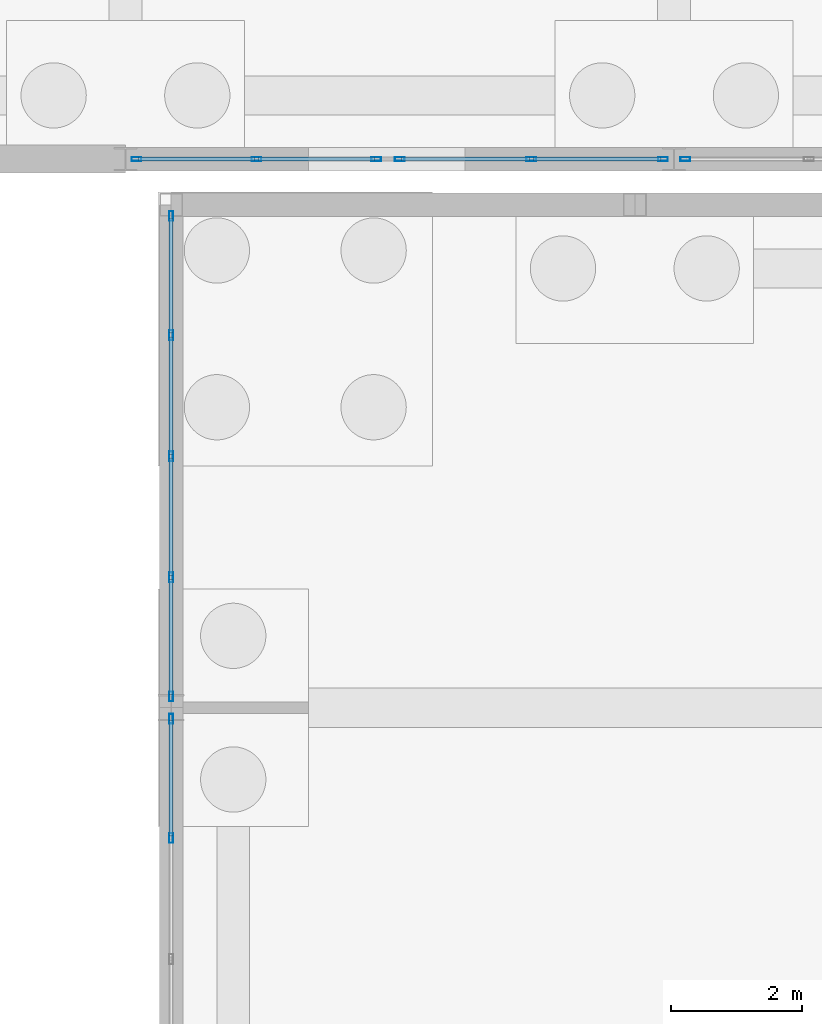
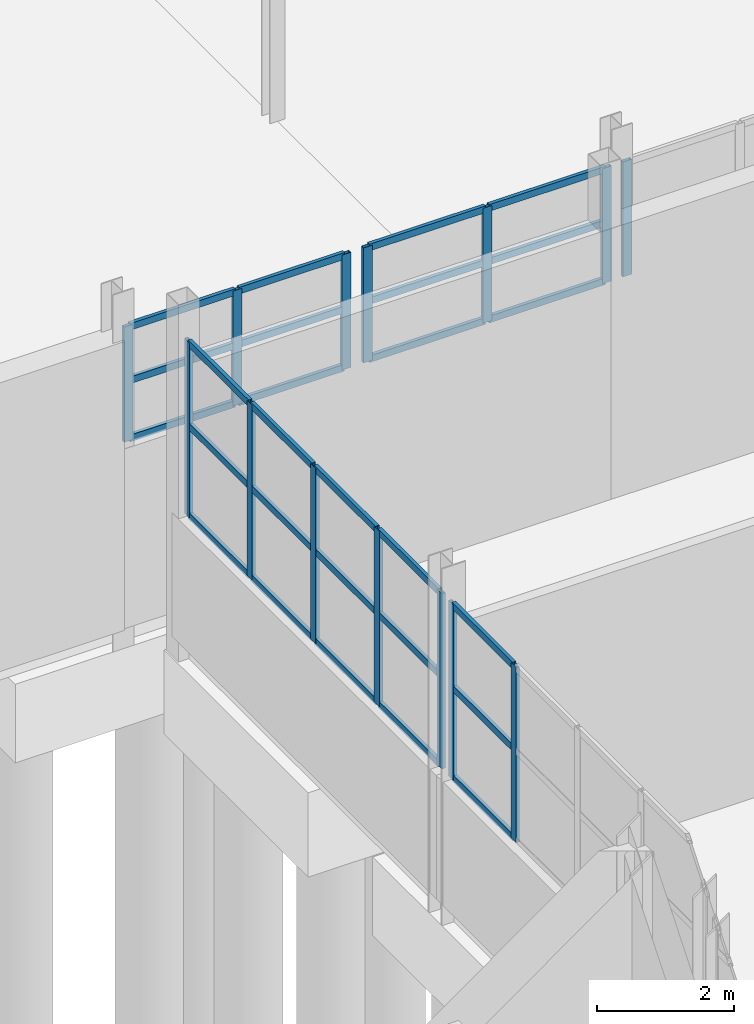
# One storey, part 83 of 139: 41 members, 5 elements without a shape of their own.
"""IFC4 building model written with IfcOpenShell, lengths in metres."""

from ifc_helpers import new_model, si_unit, direction, frame, origin, origin_2d, place, context, subcontext, project, spatial, hollow_rectangle, extrude, material, material_profile, profile_set, type_object, element, aggregate, save


model = new_model("IFC4")

# Units and contexts
model_context = context("Model", 3, precision=1e-05, world=origin(), true_north=direction((0.0, 1.0)))
body_context = subcontext(model_context, "Body", "Model", "MODEL_VIEW")
ifc_project = project(units=[si_unit("LENGTHUNIT", "METRE"), si_unit("AREAUNIT", "SQUARE_METRE"), si_unit("VOLUMEUNIT", "CUBIC_METRE"), si_unit("PLANEANGLEUNIT", "RADIAN"), si_unit("MASSUNIT", "GRAM", prefix="KILO")], contexts=[model_context])

# Site, building, storey
site_placement = place(None, origin())
site = spatial("IfcSite", under=ifc_project, at=site_placement, CompositionType="ELEMENT")
building_placement = place(site_placement, origin())
building = spatial("IfcBuilding", under=site, at=building_placement, Name="Kazenagashi Tramway Depot", CompositionType="ELEMENT")
storey_placement = place(building_placement, origin())
storey = spatial("IfcBuildingStorey", under=building, at=storey_placement, Name="L01", CompositionType="ELEMENT", Elevation=0.0)

# Curtain wall, members
ifc_material_1 = material(Name="Anodised Aluminium and Low-E Glazing", Category="aluminium")
curtain_wall_type_1 = type_object("IfcCurtainWallType", Name="CW-09", PredefinedType="USERDEFINED", material=ifc_material_1)
curtain_wall_1_placement = place(storey_placement, origin())
curtain_wall_1 = element("IfcCurtainWall", 1, at=curtain_wall_1_placement, inside=storey, type_object=curtain_wall_type_1, Name="Industrial Glazed Screen CW-09 CW-0041", ObjectType="GLAZED SCREEN", PredefinedType="USERDEFINED")
ifc_material_2 = material(Name="Anodised Aluminium", Category="aluminium")
ifc_material_profile_1 = material_profile(ifc_material_2, hollow_rectangle(XDim=0.06, YDim=0.15, WallThickness=0.004, at=origin_2d()), Name="RHS-150x60x4")
ifc_profile_set_1 = profile_set([ifc_material_profile_1], Name="Anodised Aluminium")
member_type_1 = type_object("IfcMemberType", Name="ML-01", PredefinedType="MULLION", material=ifc_profile_set_1)
member_1_placement = place(storey_placement, frame((145.77, 70.0, 3.2), z_axis=(0.0, 0.0, 1.0), x_axis=(0.0, 1.0, 0.0)))
member_1 = element("IfcMember", 2, at=member_1_placement, type_object=member_type_1, Name="CW-09 mullion 1", PredefinedType="MULLION", context=body_context, shape_type="SweptSolid", body=[
    extrude(hollow_rectangle(XDim=0.06, YDim=0.15, WallThickness=0.004, at=origin_2d()), origin(), (0.0, 0.0, 1.0), 2.047),
])
member_2_placement = place(storey_placement, frame((147.605, 70.0, 3.2), z_axis=(0.0, 0.0, 1.0), x_axis=(0.0, 1.0, 0.0)))
member_2 = element("IfcMember", 3, at=member_2_placement, type_object=member_type_1, Name="CW-09 mullion 2", PredefinedType="MULLION", context=body_context, shape_type="SweptSolid", body=[
    extrude(hollow_rectangle(XDim=0.06, YDim=0.15, WallThickness=0.004, at=origin_2d()), origin(), (0.0, 0.0, 1.0), 2.047),
])
member_3_placement = place(storey_placement, frame((149.44, 70.0, 3.2), z_axis=(0.0, 0.0, 1.0), x_axis=(0.0, 1.0, 0.0)))
member_3 = element("IfcMember", 4, at=member_3_placement, type_object=member_type_1, Name="CW-09 mullion 3", PredefinedType="MULLION", context=body_context, shape_type="SweptSolid", body=[
    extrude(hollow_rectangle(XDim=0.06, YDim=0.15, WallThickness=0.004, at=origin_2d()), origin(), (0.0, 0.0, 1.0), 2.047),
])

curtain_wall_type_2 = type_object("IfcCurtainWallType", Name="CW-10", PredefinedType="USERDEFINED", material=ifc_material_1)
curtain_wall_2_placement = place(storey_placement, origin())
curtain_wall_2 = element("IfcCurtainWall", 5, at=curtain_wall_2_placement, inside=storey, type_object=curtain_wall_type_2, Name="Industrial Glazed Screen CW-10 CW-0042", ObjectType="GLAZED SCREEN", PredefinedType="USERDEFINED")
member_4_placement = place(storey_placement, frame((149.8, 70.0, 3.2), z_axis=(0.0, 0.0, 1.0), x_axis=(0.0, 1.0, 0.0)))
member_4 = element("IfcMember", 6, at=member_4_placement, type_object=member_type_1, Name="CW-10 mullion 1", PredefinedType="MULLION", context=body_context, shape_type="SweptSolid", body=[
    extrude(hollow_rectangle(XDim=0.06, YDim=0.15, WallThickness=0.004, at=origin_2d()), origin(), (0.0, 0.0, 1.0), 2.047),
])
member_5_placement = place(storey_placement, frame((151.815, 70.0, 3.2), z_axis=(0.0, 0.0, 1.0), x_axis=(0.0, 1.0, 0.0)))
member_5 = element("IfcMember", 7, at=member_5_placement, type_object=member_type_1, Name="CW-10 mullion 2", PredefinedType="MULLION", context=body_context, shape_type="SweptSolid", body=[
    extrude(hollow_rectangle(XDim=0.06, YDim=0.15, WallThickness=0.004, at=origin_2d()), origin(), (0.0, 0.0, 1.0), 2.047),
])
member_6_placement = place(storey_placement, frame((153.83, 70.0, 3.2), z_axis=(0.0, 0.0, 1.0), x_axis=(0.0, 1.0, 0.0)))
member_6 = element("IfcMember", 8, at=member_6_placement, type_object=member_type_1, Name="CW-10 mullion 3", PredefinedType="MULLION", context=body_context, shape_type="SweptSolid", body=[
    extrude(hollow_rectangle(XDim=0.06, YDim=0.15, WallThickness=0.004, at=origin_2d()), origin(), (0.0, 0.0, 1.0), 2.047),
])

# Curtain wall, member
curtain_wall_type_3 = type_object("IfcCurtainWallType", Name="CW-12", PredefinedType="USERDEFINED", material=ifc_material_1)
curtain_wall_3_placement = place(storey_placement, origin())
curtain_wall_3 = element("IfcCurtainWall", 9, at=curtain_wall_3_placement, inside=storey, type_object=curtain_wall_type_3, Name="Industrial Glazed Screen CW-12 CW-0044", ObjectType="GLAZED SCREEN", PredefinedType="USERDEFINED")
member_7_placement = place(storey_placement, frame((154.17, 70.0, 3.2), z_axis=(0.0, 0.0, 1.0), x_axis=(0.0, 1.0, 0.0)))
member_7 = element("IfcMember", 10, at=member_7_placement, type_object=member_type_1, Name="CW-12 mullion 1", PredefinedType="MULLION", context=body_context, shape_type="SweptSolid", body=[
    extrude(hollow_rectangle(XDim=0.06, YDim=0.15, WallThickness=0.004, at=origin_2d()), origin(), (0.0, 0.0, 1.0), 2.047),
])
aggregate(curtain_wall_3, [member_7])

# Curtain wall, members
curtain_wall_type_4 = type_object("IfcCurtainWallType", Name="CW-30", PredefinedType="USERDEFINED", material=ifc_material_1)
curtain_wall_4_placement = place(storey_placement, origin())
curtain_wall_4 = element("IfcCurtainWall", 11, at=curtain_wall_4_placement, inside=storey, type_object=curtain_wall_type_4, Name="Industrial Glazed Screen CW-30 CW-0170", ObjectType="GLAZED SCREEN", PredefinedType="USERDEFINED")
member_8_placement = place(storey_placement, frame((146.3, 59.605, 2.2), z_axis=(0.0, 0.0, 1.0), x_axis=(-1.0, 0.0, 0.0)))
member_8 = element("IfcMember", 12, at=member_8_placement, type_object=member_type_1, Name="CW-30 mullion 4", PredefinedType="MULLION", context=body_context, shape_type="SweptSolid", body=[
    extrude(hollow_rectangle(XDim=0.06, YDim=0.15, WallThickness=0.004, at=origin_2d()), origin(), (0.0, 0.0, 1.0), 3.12),
])
member_9_placement = place(storey_placement, frame((146.3, 61.43, 2.2), z_axis=(0.0, 0.0, 1.0), x_axis=(-1.0, 0.0, 0.0)))
member_9 = element("IfcMember", 13, at=member_9_placement, type_object=member_type_1, Name="CW-30 mullion 5", PredefinedType="MULLION", context=body_context, shape_type="SweptSolid", body=[
    extrude(hollow_rectangle(XDim=0.06, YDim=0.15, WallThickness=0.004, at=origin_2d()), origin(), (0.0, 0.0, 1.0), 3.12),
])

curtain_wall_5_placement = place(storey_placement, origin())
curtain_wall_5 = element("IfcCurtainWall", 14, at=curtain_wall_5_placement, inside=storey, type_object=curtain_wall_type_4, Name="Industrial Glazed Screen CW-30 CW-0172", ObjectType="GLAZED SCREEN", PredefinedType="USERDEFINED")
member_10_placement = place(storey_placement, frame((146.3, 61.77, 2.2), z_axis=(0.0, 0.0, 1.0), x_axis=(-1.0, 0.0, 0.0)))
member_10 = element("IfcMember", 15, at=member_10_placement, type_object=member_type_1, Name="CW-30 mullion 1", PredefinedType="MULLION", context=body_context, shape_type="SweptSolid", body=[
    extrude(hollow_rectangle(XDim=0.06, YDim=0.15, WallThickness=0.004, at=origin_2d()), origin(), (0.0, 0.0, 1.0), 3.12),
])
member_11_placement = place(storey_placement, frame((146.3, 63.595, 2.2), z_axis=(0.0, 0.0, 1.0), x_axis=(-1.0, 0.0, 0.0)))
member_11 = element("IfcMember", 16, at=member_11_placement, type_object=member_type_1, Name="CW-30 mullion 2", PredefinedType="MULLION", context=body_context, shape_type="SweptSolid", body=[
    extrude(hollow_rectangle(XDim=0.06, YDim=0.15, WallThickness=0.004, at=origin_2d()), origin(), (0.0, 0.0, 1.0), 3.12),
])
member_12_placement = place(storey_placement, frame((146.3, 65.45, 2.2), z_axis=(0.0, 0.0, 1.0), x_axis=(-1.0, 0.0, 0.0)))
member_12 = element("IfcMember", 17, at=member_12_placement, type_object=member_type_1, Name="CW-30 mullion 3", PredefinedType="MULLION", context=body_context, shape_type="SweptSolid", body=[
    extrude(hollow_rectangle(XDim=0.06, YDim=0.15, WallThickness=0.004, at=origin_2d()), origin(), (0.0, 0.0, 1.0), 3.12),
])
member_13_placement = place(storey_placement, frame((146.3, 67.305, 2.2), z_axis=(0.0, 0.0, 1.0), x_axis=(-1.0, 0.0, 0.0)))
member_13 = element("IfcMember", 18, at=member_13_placement, type_object=member_type_1, Name="CW-30 mullion 4", PredefinedType="MULLION", context=body_context, shape_type="SweptSolid", body=[
    extrude(hollow_rectangle(XDim=0.06, YDim=0.15, WallThickness=0.004, at=origin_2d()), origin(), (0.0, 0.0, 1.0), 3.12),
])
member_14_placement = place(storey_placement, frame((146.3, 69.13, 2.2), z_axis=(0.0, 0.0, 1.0), x_axis=(-1.0, 0.0, 0.0)))
member_14 = element("IfcMember", 19, at=member_14_placement, type_object=member_type_1, Name="CW-30 mullion 5", PredefinedType="MULLION", context=body_context, shape_type="SweptSolid", body=[
    extrude(hollow_rectangle(XDim=0.06, YDim=0.15, WallThickness=0.004, at=origin_2d()), origin(), (0.0, 0.0, 1.0), 3.12),
])

# Member
ifc_material_profile_2 = material_profile(ifc_material_2, hollow_rectangle(XDim=0.06, YDim=0.12, WallThickness=0.004, at=origin_2d()), Name="RHS-120x60x4")
ifc_profile_set_2 = profile_set([ifc_material_profile_2], Name="Anodised Aluminium")
member_type_2 = type_object("IfcMemberType", Name="TR-01", PredefinedType="USERDEFINED", material=ifc_profile_set_2)
member_15_placement = place(storey_placement, frame((145.8, 70.0, 3.23), z_axis=(1.0, 0.0, 0.0), x_axis=(0.0, 1.0, 0.0)))
member_15 = element("IfcMember", 20, at=member_15_placement, type_object=member_type_2, Name="CW-09 transom 1.1", ObjectType="TRANSOM", PredefinedType="USERDEFINED", context=body_context, shape_type="SweptSolid", body=[
    extrude(hollow_rectangle(XDim=0.06, YDim=0.12, WallThickness=0.004, at=origin_2d()), origin(), (0.0, 0.0, 1.0), 1.775),
])

member_16_placement = place(storey_placement, frame((145.8, 70.0, 4.264), z_axis=(1.0, 0.0, 0.0), x_axis=(0.0, 1.0, 0.0)))
member_16 = element("IfcMember", 21, at=member_16_placement, type_object=member_type_2, Name="CW-09 transom 1.2", ObjectType="TRANSOM", PredefinedType="USERDEFINED", context=body_context, shape_type="SweptSolid", body=[
    extrude(hollow_rectangle(XDim=0.06, YDim=0.12, WallThickness=0.004, at=origin_2d()), origin(), (0.0, 0.0, 1.0), 1.775),
])

member_17_placement = place(storey_placement, frame((145.8, 70.0, 5.217), z_axis=(1.0, 0.0, 0.0), x_axis=(0.0, 1.0, 0.0)))
member_17 = element("IfcMember", 22, at=member_17_placement, type_object=member_type_2, Name="CW-09 transom 1.3", ObjectType="TRANSOM", PredefinedType="USERDEFINED", context=body_context, shape_type="SweptSolid", body=[
    extrude(hollow_rectangle(XDim=0.06, YDim=0.12, WallThickness=0.004, at=origin_2d()), origin(), (0.0, 0.0, 1.0), 1.775),
])

member_18_placement = place(storey_placement, frame((147.635, 70.0, 3.23), z_axis=(1.0, 0.0, 0.0), x_axis=(0.0, 1.0, 0.0)))
member_18 = element("IfcMember", 23, at=member_18_placement, type_object=member_type_2, Name="CW-09 transom 2.1", ObjectType="TRANSOM", PredefinedType="USERDEFINED", context=body_context, shape_type="SweptSolid", body=[
    extrude(hollow_rectangle(XDim=0.06, YDim=0.12, WallThickness=0.004, at=origin_2d()), origin(), (0.0, 0.0, 1.0), 1.775),
])

member_19_placement = place(storey_placement, frame((147.635, 70.0, 4.264), z_axis=(1.0, 0.0, 0.0), x_axis=(0.0, 1.0, 0.0)))
member_19 = element("IfcMember", 24, at=member_19_placement, type_object=member_type_2, Name="CW-09 transom 2.2", ObjectType="TRANSOM", PredefinedType="USERDEFINED", context=body_context, shape_type="SweptSolid", body=[
    extrude(hollow_rectangle(XDim=0.06, YDim=0.12, WallThickness=0.004, at=origin_2d()), origin(), (0.0, 0.0, 1.0), 1.775),
])

member_20_placement = place(storey_placement, frame((147.635, 70.0, 5.217), z_axis=(1.0, 0.0, 0.0), x_axis=(0.0, 1.0, 0.0)))
member_20 = element("IfcMember", 25, at=member_20_placement, type_object=member_type_2, Name="CW-09 transom 2.3", ObjectType="TRANSOM", PredefinedType="USERDEFINED", context=body_context, shape_type="SweptSolid", body=[
    extrude(hollow_rectangle(XDim=0.06, YDim=0.12, WallThickness=0.004, at=origin_2d()), origin(), (0.0, 0.0, 1.0), 1.775),
])

aggregate(curtain_wall_1, [member_1, member_2, member_3, member_15, member_16, member_17, member_18, member_19, member_20])

member_21_placement = place(storey_placement, frame((149.83, 70.0, 3.23), z_axis=(1.0, 0.0, 0.0), x_axis=(0.0, 1.0, 0.0)))
member_21 = element("IfcMember", 26, at=member_21_placement, type_object=member_type_2, Name="CW-10 transom 1.1", ObjectType="TRANSOM", PredefinedType="USERDEFINED", context=body_context, shape_type="SweptSolid", body=[
    extrude(hollow_rectangle(XDim=0.06, YDim=0.12, WallThickness=0.004, at=origin_2d()), origin(), (0.0, 0.0, 1.0), 1.955),
])

member_22_placement = place(storey_placement, frame((149.83, 70.0, 4.264), z_axis=(1.0, 0.0, 0.0), x_axis=(0.0, 1.0, 0.0)))
member_22 = element("IfcMember", 27, at=member_22_placement, type_object=member_type_2, Name="CW-10 transom 1.2", ObjectType="TRANSOM", PredefinedType="USERDEFINED", context=body_context, shape_type="SweptSolid", body=[
    extrude(hollow_rectangle(XDim=0.06, YDim=0.12, WallThickness=0.004, at=origin_2d()), origin(), (0.0, 0.0, 1.0), 1.955),
])

member_23_placement = place(storey_placement, frame((149.83, 70.0, 5.217), z_axis=(1.0, 0.0, 0.0), x_axis=(0.0, 1.0, 0.0)))
member_23 = element("IfcMember", 28, at=member_23_placement, type_object=member_type_2, Name="CW-10 transom 1.3", ObjectType="TRANSOM", PredefinedType="USERDEFINED", context=body_context, shape_type="SweptSolid", body=[
    extrude(hollow_rectangle(XDim=0.06, YDim=0.12, WallThickness=0.004, at=origin_2d()), origin(), (0.0, 0.0, 1.0), 1.955),
])

member_24_placement = place(storey_placement, frame((151.845, 70.0, 3.23), z_axis=(1.0, 0.0, 0.0), x_axis=(0.0, 1.0, 0.0)))
member_24 = element("IfcMember", 29, at=member_24_placement, type_object=member_type_2, Name="CW-10 transom 2.1", ObjectType="TRANSOM", PredefinedType="USERDEFINED", context=body_context, shape_type="SweptSolid", body=[
    extrude(hollow_rectangle(XDim=0.06, YDim=0.12, WallThickness=0.004, at=origin_2d()), origin(), (0.0, 0.0, 1.0), 1.955),
])

member_25_placement = place(storey_placement, frame((151.845, 70.0, 4.264), z_axis=(1.0, 0.0, 0.0), x_axis=(0.0, 1.0, 0.0)))
member_25 = element("IfcMember", 30, at=member_25_placement, type_object=member_type_2, Name="CW-10 transom 2.2", ObjectType="TRANSOM", PredefinedType="USERDEFINED", context=body_context, shape_type="SweptSolid", body=[
    extrude(hollow_rectangle(XDim=0.06, YDim=0.12, WallThickness=0.004, at=origin_2d()), origin(), (0.0, 0.0, 1.0), 1.955),
])

member_26_placement = place(storey_placement, frame((151.845, 70.0, 5.217), z_axis=(1.0, 0.0, 0.0), x_axis=(0.0, 1.0, 0.0)))
member_26 = element("IfcMember", 31, at=member_26_placement, type_object=member_type_2, Name="CW-10 transom 2.3", ObjectType="TRANSOM", PredefinedType="USERDEFINED", context=body_context, shape_type="SweptSolid", body=[
    extrude(hollow_rectangle(XDim=0.06, YDim=0.12, WallThickness=0.004, at=origin_2d()), origin(), (0.0, 0.0, 1.0), 1.955),
])

aggregate(curtain_wall_2, [member_4, member_5, member_6, member_21, member_22, member_23, member_24, member_25, member_26])

member_27_placement = place(storey_placement, frame((146.3, 59.635, 2.23), z_axis=(0.0, 1.0, 0.0), x_axis=(-1.0, 0.0, 0.0)))
member_27 = element("IfcMember", 32, at=member_27_placement, type_object=member_type_2, Name="CW-30 transom 4.1", ObjectType="TRANSOM", PredefinedType="USERDEFINED", context=body_context, shape_type="SweptSolid", body=[
    extrude(hollow_rectangle(XDim=0.06, YDim=0.12, WallThickness=0.004, at=origin_2d()), origin(), (0.0, 0.0, 1.0), 1.765),
])

member_28_placement = place(storey_placement, frame((146.3, 59.635, 3.822), z_axis=(0.0, 1.0, 0.0), x_axis=(-1.0, 0.0, 0.0)))
member_28 = element("IfcMember", 33, at=member_28_placement, type_object=member_type_2, Name="CW-30 transom 4.2", ObjectType="TRANSOM", PredefinedType="USERDEFINED", context=body_context, shape_type="SweptSolid", body=[
    extrude(hollow_rectangle(XDim=0.06, YDim=0.12, WallThickness=0.004, at=origin_2d()), origin(), (0.0, 0.0, 1.0), 1.765),
])

member_29_placement = place(storey_placement, frame((146.3, 59.635, 5.29), z_axis=(0.0, 1.0, 0.0), x_axis=(-1.0, 0.0, 0.0)))
member_29 = element("IfcMember", 34, at=member_29_placement, type_object=member_type_2, Name="CW-30 transom 4.3", ObjectType="TRANSOM", PredefinedType="USERDEFINED", context=body_context, shape_type="SweptSolid", body=[
    extrude(hollow_rectangle(XDim=0.06, YDim=0.12, WallThickness=0.004, at=origin_2d()), origin(), (0.0, 0.0, 1.0), 1.765),
])

aggregate(curtain_wall_4, [member_8, member_9, member_27, member_28, member_29])

member_30_placement = place(storey_placement, frame((146.3, 61.8, 2.23), z_axis=(0.0, 1.0, 0.0), x_axis=(-1.0, 0.0, 0.0)))
member_30 = element("IfcMember", 35, at=member_30_placement, type_object=member_type_2, Name="CW-30 transom 1.1", ObjectType="TRANSOM", PredefinedType="USERDEFINED", context=body_context, shape_type="SweptSolid", body=[
    extrude(hollow_rectangle(XDim=0.06, YDim=0.12, WallThickness=0.004, at=origin_2d()), origin(), (0.0, 0.0, 1.0), 1.765),
])

member_31_placement = place(storey_placement, frame((146.3, 61.8, 3.822), z_axis=(0.0, 1.0, 0.0), x_axis=(-1.0, 0.0, 0.0)))
member_31 = element("IfcMember", 36, at=member_31_placement, type_object=member_type_2, Name="CW-30 transom 1.2", ObjectType="TRANSOM", PredefinedType="USERDEFINED", context=body_context, shape_type="SweptSolid", body=[
    extrude(hollow_rectangle(XDim=0.06, YDim=0.12, WallThickness=0.004, at=origin_2d()), origin(), (0.0, 0.0, 1.0), 1.765),
])

member_32_placement = place(storey_placement, frame((146.3, 61.8, 5.29), z_axis=(0.0, 1.0, 0.0), x_axis=(-1.0, 0.0, 0.0)))
member_32 = element("IfcMember", 37, at=member_32_placement, type_object=member_type_2, Name="CW-30 transom 1.3", ObjectType="TRANSOM", PredefinedType="USERDEFINED", context=body_context, shape_type="SweptSolid", body=[
    extrude(hollow_rectangle(XDim=0.06, YDim=0.12, WallThickness=0.004, at=origin_2d()), origin(), (0.0, 0.0, 1.0), 1.765),
])

member_33_placement = place(storey_placement, frame((146.3, 63.625, 2.23), z_axis=(0.0, 1.0, 0.0), x_axis=(-1.0, 0.0, 0.0)))
member_33 = element("IfcMember", 38, at=member_33_placement, type_object=member_type_2, Name="CW-30 transom 2.1", ObjectType="TRANSOM", PredefinedType="USERDEFINED", context=body_context, shape_type="SweptSolid", body=[
    extrude(hollow_rectangle(XDim=0.06, YDim=0.12, WallThickness=0.004, at=origin_2d()), origin(), (0.0, 0.0, 1.0), 1.795),
])

member_34_placement = place(storey_placement, frame((146.3, 63.625, 3.822), z_axis=(0.0, 1.0, 0.0), x_axis=(-1.0, 0.0, 0.0)))
member_34 = element("IfcMember", 39, at=member_34_placement, type_object=member_type_2, Name="CW-30 transom 2.2", ObjectType="TRANSOM", PredefinedType="USERDEFINED", context=body_context, shape_type="SweptSolid", body=[
    extrude(hollow_rectangle(XDim=0.06, YDim=0.12, WallThickness=0.004, at=origin_2d()), origin(), (0.0, 0.0, 1.0), 1.795),
])

member_35_placement = place(storey_placement, frame((146.3, 63.625, 5.29), z_axis=(0.0, 1.0, 0.0), x_axis=(-1.0, 0.0, 0.0)))
member_35 = element("IfcMember", 40, at=member_35_placement, type_object=member_type_2, Name="CW-30 transom 2.3", ObjectType="TRANSOM", PredefinedType="USERDEFINED", context=body_context, shape_type="SweptSolid", body=[
    extrude(hollow_rectangle(XDim=0.06, YDim=0.12, WallThickness=0.004, at=origin_2d()), origin(), (0.0, 0.0, 1.0), 1.795),
])

member_36_placement = place(storey_placement, frame((146.3, 65.48, 2.23), z_axis=(0.0, 1.0, 0.0), x_axis=(-1.0, 0.0, 0.0)))
member_36 = element("IfcMember", 41, at=member_36_placement, type_object=member_type_2, Name="CW-30 transom 3.1", ObjectType="TRANSOM", PredefinedType="USERDEFINED", context=body_context, shape_type="SweptSolid", body=[
    extrude(hollow_rectangle(XDim=0.06, YDim=0.12, WallThickness=0.004, at=origin_2d()), origin(), (0.0, 0.0, 1.0), 1.795),
])

member_37_placement = place(storey_placement, frame((146.3, 65.48, 3.822), z_axis=(0.0, 1.0, 0.0), x_axis=(-1.0, 0.0, 0.0)))
member_37 = element("IfcMember", 42, at=member_37_placement, type_object=member_type_2, Name="CW-30 transom 3.2", ObjectType="TRANSOM", PredefinedType="USERDEFINED", context=body_context, shape_type="SweptSolid", body=[
    extrude(hollow_rectangle(XDim=0.06, YDim=0.12, WallThickness=0.004, at=origin_2d()), origin(), (0.0, 0.0, 1.0), 1.795),
])

member_38_placement = place(storey_placement, frame((146.3, 65.48, 5.29), z_axis=(0.0, 1.0, 0.0), x_axis=(-1.0, 0.0, 0.0)))
member_38 = element("IfcMember", 43, at=member_38_placement, type_object=member_type_2, Name="CW-30 transom 3.3", ObjectType="TRANSOM", PredefinedType="USERDEFINED", context=body_context, shape_type="SweptSolid", body=[
    extrude(hollow_rectangle(XDim=0.06, YDim=0.12, WallThickness=0.004, at=origin_2d()), origin(), (0.0, 0.0, 1.0), 1.795),
])

member_39_placement = place(storey_placement, frame((146.3, 67.335, 2.23), z_axis=(0.0, 1.0, 0.0), x_axis=(-1.0, 0.0, 0.0)))
member_39 = element("IfcMember", 44, at=member_39_placement, type_object=member_type_2, Name="CW-30 transom 4.1", ObjectType="TRANSOM", PredefinedType="USERDEFINED", context=body_context, shape_type="SweptSolid", body=[
    extrude(hollow_rectangle(XDim=0.06, YDim=0.12, WallThickness=0.004, at=origin_2d()), origin(), (0.0, 0.0, 1.0), 1.765),
])

member_40_placement = place(storey_placement, frame((146.3, 67.335, 3.822), z_axis=(0.0, 1.0, 0.0), x_axis=(-1.0, 0.0, 0.0)))
member_40 = element("IfcMember", 45, at=member_40_placement, type_object=member_type_2, Name="CW-30 transom 4.2", ObjectType="TRANSOM", PredefinedType="USERDEFINED", context=body_context, shape_type="SweptSolid", body=[
    extrude(hollow_rectangle(XDim=0.06, YDim=0.12, WallThickness=0.004, at=origin_2d()), origin(), (0.0, 0.0, 1.0), 1.765),
])

member_41_placement = place(storey_placement, frame((146.3, 67.335, 5.29), z_axis=(0.0, 1.0, 0.0), x_axis=(-1.0, 0.0, 0.0)))
member_41 = element("IfcMember", 46, at=member_41_placement, type_object=member_type_2, Name="CW-30 transom 4.3", ObjectType="TRANSOM", PredefinedType="USERDEFINED", context=body_context, shape_type="SweptSolid", body=[
    extrude(hollow_rectangle(XDim=0.06, YDim=0.12, WallThickness=0.004, at=origin_2d()), origin(), (0.0, 0.0, 1.0), 1.765),
])

aggregate(curtain_wall_5, [member_10, member_11, member_12, member_13, member_14, member_30, member_31, member_32, member_33, member_34, member_35, member_36, member_37, member_38, member_39, member_40, member_41])

save(model, "model.ifc")
